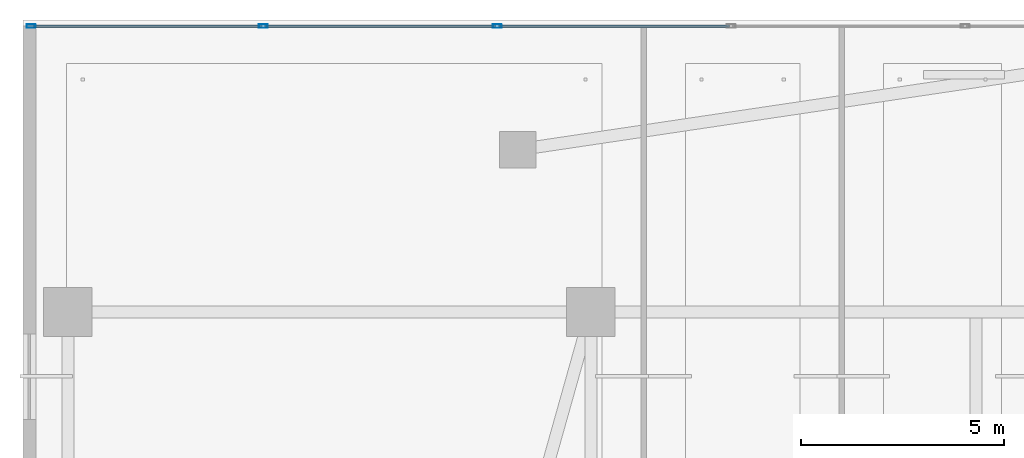
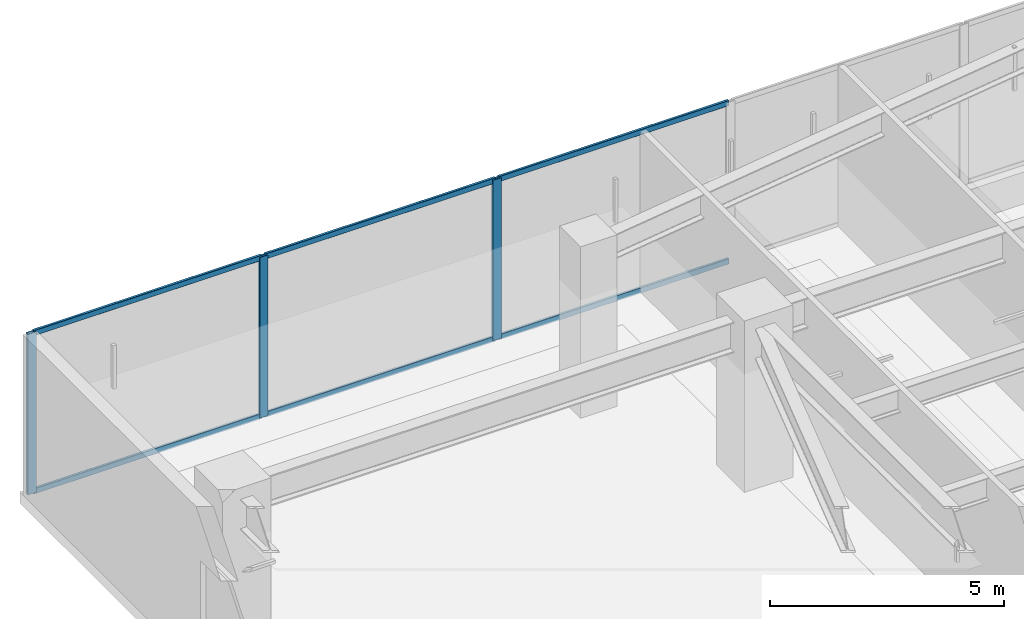
# One storey, part 10 of 27: 9 members, 1 element without a shape of its own.
"""IFC4 building model written with IfcOpenShell, lengths in metres."""

from ifc_helpers import new_model, si_unit, direction, frame, origin, origin_2d, place, context, subcontext, project, spatial, hollow_rectangle, extrude, material, layer, layer_set, material_profile, profile_set, type_object, element, aggregate, save


model = new_model("IFC4")

# Units and contexts
model_context = context("Model", 3, precision=1e-05, world=origin(), true_north=direction((0.0, 1.0)))
body_context = subcontext(model_context, "Body", "Model", "MODEL_VIEW")
ifc_project = project(units=[si_unit("LENGTHUNIT", "METRE"), si_unit("AREAUNIT", "SQUARE_METRE"), si_unit("VOLUMEUNIT", "CUBIC_METRE"), si_unit("PLANEANGLEUNIT", "RADIAN"), si_unit("MASSUNIT", "GRAM", prefix="KILO")], contexts=[model_context])

# Site, building, storey
site_placement = place(None, origin())
site = spatial("IfcSite", under=ifc_project, at=site_placement, CompositionType="ELEMENT")
building_placement = place(site_placement, origin())
building = spatial("IfcBuilding", under=site, at=building_placement, Name="Tarnavaz Court Tower", CompositionType="ELEMENT")
storey_placement = place(building_placement, frame((0.0, 0.0, 9.89990234375)))
storey = spatial("IfcBuildingStorey", under=building, at=storey_placement, Name="L02", CompositionType="ELEMENT", Elevation=9.89990234375)

# Curtain wall, members
ifc_material_1 = material(Name="Anodised Aluminium 6063-T6 and Solar Low-E Glazing", Category="aluminium")
ifc_layer = layer(ifc_material_1, 0.18994140625)
ifc_layer_set = layer_set([ifc_layer], Name="Anodised Aluminium 6063-T6 and Solar Low-E Glazing")
curtain_wall_type = type_object("IfcCurtainWallType", Name="CW-SYS-01", PredefinedType="NOTDEFINED", material=ifc_layer_set)
curtain_wall_placement = place(storey_placement, origin())
curtain_wall = element("IfcCurtainWall", 1, at=curtain_wall_placement, inside=storey, type_object=curtain_wall_type, Name="L02 Clinic Podium Curtain Wall 1", PredefinedType="NOTDEFINED")
ifc_material_2 = material(Name="Anodised Aluminium 6063-T6", Category="aluminium")
ifc_material_profile_1 = material_profile(ifc_material_2, hollow_rectangle(XDim=0.0849609375, YDim=0.219970703125, WallThickness=0.006103515625, InnerFilletRadius=0.006103515625, OuterFilletRadius=0.011962890625, at=origin_2d()), Name="ALU RHS 220X85X6")
ifc_profile_set_1 = profile_set([ifc_material_profile_1], Name="Anodised Aluminium 6063-T6")
member_type_1 = type_object("IfcMemberType", Name="CW-MUL-220", PredefinedType="MULLION", material=ifc_profile_set_1)
member_1_placement = place(storey_placement, frame((-28.8076171875, 29.85009765625, 0.0), z_axis=(0.0, 0.0, 1.0), x_axis=(0.0, 1.0, 0.0)))
member_1 = element("IfcMember", 2, at=member_1_placement, type_object=member_type_1, Name="CW mullion 1", PredefinedType="MULLION", context=body_context, shape_type="SweptSolid", body=[
    extrude(hollow_rectangle(XDim=0.0849609375, YDim=0.219970703125, WallThickness=0.006103515625, InnerFilletRadius=0.006103515625, OuterFilletRadius=0.011962890625, at=origin_2d()), origin(), (0.0, 0.0, 1.0), 4.2001953125),
])
member_2_placement = place(storey_placement, frame((-23.080078125, 29.85009765625, 0.0), z_axis=(0.0, 0.0, 1.0), x_axis=(0.0, 1.0, 0.0)))
member_2 = element("IfcMember", 3, at=member_2_placement, type_object=member_type_1, Name="CW mullion 2", PredefinedType="MULLION", context=body_context, shape_type="SweptSolid", body=[
    extrude(hollow_rectangle(XDim=0.0849609375, YDim=0.219970703125, WallThickness=0.006103515625, InnerFilletRadius=0.006103515625, OuterFilletRadius=0.011962890625, at=origin_2d()), origin(), (0.0, 0.0, 1.0), 4.2001953125),
])
member_3_placement = place(storey_placement, frame((-17.31005859375, 29.85009765625, 0.0), z_axis=(0.0, 0.0, 1.0), x_axis=(0.0, 1.0, 0.0)))
member_3 = element("IfcMember", 4, at=member_3_placement, type_object=member_type_1, Name="CW mullion 3", PredefinedType="MULLION", context=body_context, shape_type="SweptSolid", body=[
    extrude(hollow_rectangle(XDim=0.0849609375, YDim=0.219970703125, WallThickness=0.006103515625, InnerFilletRadius=0.006103515625, OuterFilletRadius=0.011962890625, at=origin_2d()), origin(), (0.0, 0.0, 1.0), 4.2001953125),
])
ifc_material_profile_2 = material_profile(ifc_material_2, hollow_rectangle(XDim=0.06494140625, YDim=0.139892578125, WallThickness=0.00390625, InnerFilletRadius=0.00390625, OuterFilletRadius=0.008056640625, at=origin_2d()), Name="ALU RHS 140X65X4")
ifc_profile_set_2 = profile_set([ifc_material_profile_2], Name="Anodised Aluminium 6063-T6")
member_type_2 = type_object("IfcMemberType", Name="CW-TRN-140", PredefinedType="USERDEFINED", material=ifc_profile_set_2)
member_4_placement = place(storey_placement, frame((-28.764892578125, 29.85009765625, 0.03271484375), z_axis=(1.0, 0.0, 0.0), x_axis=(0.0, 1.0, 0.0)))
member_4 = element("IfcMember", 5, at=member_4_placement, type_object=member_type_2, Name="CW transom 1.1", ObjectType="TRANSOM", PredefinedType="USERDEFINED", context=body_context, shape_type="SweptSolid", body=[
    extrude(hollow_rectangle(XDim=0.06494140625, YDim=0.139892578125, WallThickness=0.00390625, InnerFilletRadius=0.00390625, OuterFilletRadius=0.008056640625, at=origin_2d()), origin(), (0.0, 0.0, 1.0), 5.642333984375),
])
member_5_placement = place(storey_placement, frame((-28.764892578125, 29.85009765625, 4.16748046875), z_axis=(1.0, 0.0, 0.0), x_axis=(0.0, 1.0, 0.0)))
member_5 = element("IfcMember", 6, at=member_5_placement, type_object=member_type_2, Name="CW transom 1.2", ObjectType="TRANSOM", PredefinedType="USERDEFINED", context=body_context, shape_type="SweptSolid", body=[
    extrude(hollow_rectangle(XDim=0.06494140625, YDim=0.139892578125, WallThickness=0.00390625, InnerFilletRadius=0.00390625, OuterFilletRadius=0.008056640625, at=origin_2d()), origin(), (0.0, 0.0, 1.0), 5.642333984375),
])
member_6_placement = place(storey_placement, frame((-23.03759765625, 29.85009765625, 0.03271484375), z_axis=(1.0, 0.0, 0.0), x_axis=(0.0, 1.0, 0.0)))
member_6 = element("IfcMember", 7, at=member_6_placement, type_object=member_type_2, Name="CW transom 2.1", ObjectType="TRANSOM", PredefinedType="USERDEFINED", context=body_context, shape_type="SweptSolid", body=[
    extrude(hollow_rectangle(XDim=0.06494140625, YDim=0.139892578125, WallThickness=0.00390625, InnerFilletRadius=0.00390625, OuterFilletRadius=0.008056640625, at=origin_2d()), origin(), (0.0, 0.0, 1.0), 5.68505859375),
])
member_7_placement = place(storey_placement, frame((-23.03759765625, 29.85009765625, 4.16748046875), z_axis=(1.0, 0.0, 0.0), x_axis=(0.0, 1.0, 0.0)))
member_7 = element("IfcMember", 8, at=member_7_placement, type_object=member_type_2, Name="CW transom 2.2", ObjectType="TRANSOM", PredefinedType="USERDEFINED", context=body_context, shape_type="SweptSolid", body=[
    extrude(hollow_rectangle(XDim=0.06494140625, YDim=0.139892578125, WallThickness=0.00390625, InnerFilletRadius=0.00390625, OuterFilletRadius=0.008056640625, at=origin_2d()), origin(), (0.0, 0.0, 1.0), 5.68505859375),
])
member_8_placement = place(storey_placement, frame((-17.267578125, 29.85009765625, 0.03271484375), z_axis=(1.0, 0.0, 0.0), x_axis=(0.0, 1.0, 0.0)))
member_8 = element("IfcMember", 9, at=member_8_placement, type_object=member_type_2, Name="CW transom 3.1", ObjectType="TRANSOM", PredefinedType="USERDEFINED", context=body_context, shape_type="SweptSolid", body=[
    extrude(hollow_rectangle(XDim=0.06494140625, YDim=0.139892578125, WallThickness=0.00390625, InnerFilletRadius=0.00390625, OuterFilletRadius=0.008056640625, at=origin_2d()), origin(), (0.0, 0.0, 1.0), 5.68505859375),
])
member_9_placement = place(storey_placement, frame((-17.267578125, 29.85009765625, 4.16748046875), z_axis=(1.0, 0.0, 0.0), x_axis=(0.0, 1.0, 0.0)))
member_9 = element("IfcMember", 10, at=member_9_placement, type_object=member_type_2, Name="CW transom 3.2", ObjectType="TRANSOM", PredefinedType="USERDEFINED", context=body_context, shape_type="SweptSolid", body=[
    extrude(hollow_rectangle(XDim=0.06494140625, YDim=0.139892578125, WallThickness=0.00390625, InnerFilletRadius=0.00390625, OuterFilletRadius=0.008056640625, at=origin_2d()), origin(), (0.0, 0.0, 1.0), 5.68505859375),
])
aggregate(curtain_wall, [member_1, member_2, member_3, member_4, member_5, member_6, member_7, member_8, member_9])

save(model, "model.ifc")
